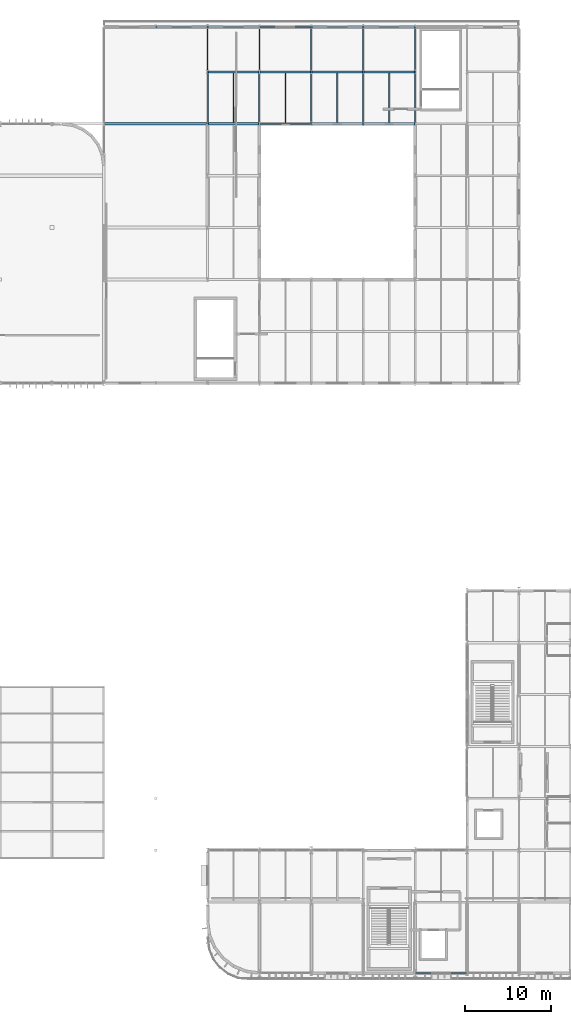
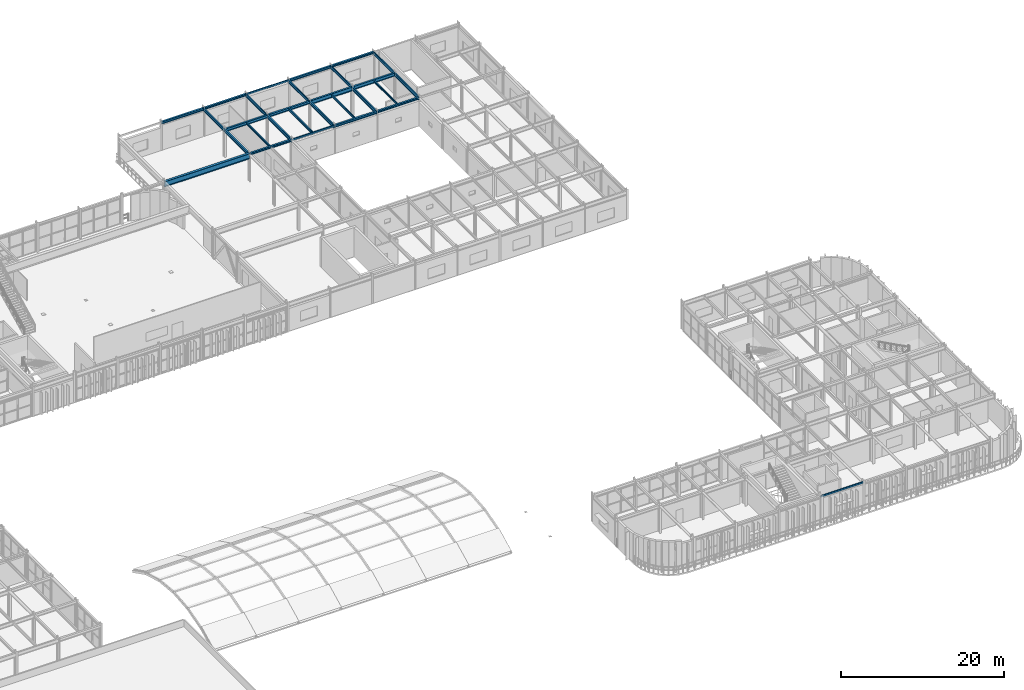
# One storey, part 41 of 84: 29 beams.
"""IFC4 building model written with IfcOpenShell, lengths in metres."""

from ifc_helpers import new_model, si_unit, direction, frame, origin, origin_2d, place, context, subcontext, project, spatial, hollow_rectangle, i_section, extrude, material, material_profile, profile_set, type_object, element, save


model = new_model("IFC4")

# Units and contexts
model_context = context("Model", 3, precision=1e-05, world=origin(), true_north=direction((0.0, 1.0)))
body_context = subcontext(model_context, "Body", "Model", "MODEL_VIEW")
ifc_project = project(units=[si_unit("LENGTHUNIT", "METRE"), si_unit("AREAUNIT", "SQUARE_METRE"), si_unit("VOLUMEUNIT", "CUBIC_METRE"), si_unit("PLANEANGLEUNIT", "RADIAN"), si_unit("MASSUNIT", "GRAM", prefix="KILO")], contexts=[model_context])

# Site, building, storey
site_placement = place(None, origin())
site = spatial("IfcSite", under=ifc_project, at=site_placement, CompositionType="ELEMENT")
building_placement = place(site_placement, origin())
building = spatial("IfcBuilding", under=site, at=building_placement, Name="Varnakota Square Police Headquarters", CompositionType="ELEMENT")
storey_placement = place(building_placement, frame((0.0, 0.0, 13.5)))
storey = spatial("IfcBuildingStorey", under=building, at=storey_placement, Name="L03", CompositionType="ELEMENT", Elevation=13.5)

# Beams
ifc_material = material(Name="Steel IS 2062 Grade 350", Category="steel")
ifc_material_profile_1 = material_profile(ifc_material, i_section(OverallWidth=0.320068359375, OverallDepth=0.800048828125, WebThickness=0.01611328125, FlangeThickness=0.028076171875, at=origin_2d()), Name="BPG 800x320")
ifc_profile_set_1 = profile_set([ifc_material_profile_1], Name="Steel IS 2062 Grade 350")
beam_type_1 = type_object("IfcBeamType", Name="BM-BPG800", PredefinedType="BEAM", material=ifc_profile_set_1)
beam_1_placement = place(storey_placement, frame((96.0, 99.0, 3.800048828125), z_axis=(1.0, 0.0, 0.0), x_axis=(0.0, 1.0, 0.0)))
element("IfcBeam", 1, at=beam_1_placement, inside=storey, type_object=beam_type_1, Name="BMG-L03-2565", PredefinedType="BEAM", context=body_context, shape_type="SweptSolid", body=[
    extrude(i_section(OverallWidth=0.320068359375, OverallDepth=0.800048828125, WebThickness=0.01611328125, FlangeThickness=0.028076171875, at=origin_2d()), origin(), (0.0, 0.0, 1.0), 12.0),
])
ifc_material_profile_2 = material_profile(ifc_material, hollow_rectangle(XDim=0.14990234375, YDim=0.25, WallThickness=0.010009765625, InnerFilletRadius=0.010009765625, OuterFilletRadius=0.02001953125, at=origin_2d()), Name="RHS 250x150x10")
ifc_profile_set_2 = profile_set([ifc_material_profile_2], Name="Steel IS 2062 Grade 350")
beam_type_2 = type_object("IfcBeamType", Name="BM-CBEAM-RHS250", PredefinedType="BEAM", material=ifc_profile_set_2)
for number, where, z_axis, x_axis, name in (
    (2, (132.0, 0.800048828125, 4.074951171875), (1.0, 0.0, 0.0), (0.0, 1.0, 0.0), "BMG-L03-2424"),
    (3, (114.0, 99.0, 4.074951171875), (1.0, 0.0, 0.0), (0.0, 1.0, 0.0), "BMG-L03-2567"),
    (4, (114.0, 110.199951171875, 4.074951171875), (1.0, 0.0, 0.0), (0.0, 1.0, 0.0), "BMG-L03-2590"),
):
    element("IfcBeam", number, at=place(storey_placement, frame(where, z_axis=z_axis, x_axis=x_axis)), inside=storey, type_object=beam_type_2, Name=name, PredefinedType="BEAM", context=body_context, shape_type="SweptSolid", body=[
        extrude(hollow_rectangle(XDim=0.14990234375, YDim=0.25, WallThickness=0.010009765625, InnerFilletRadius=0.010009765625, OuterFilletRadius=0.02001953125, at=origin_2d()), origin(), (0.0, 0.0, 1.0), 6.0),
    ])
ifc_material_profile_3 = material_profile(ifc_material, i_section(OverallWidth=0.25, OverallDepth=0.300048828125, WebThickness=0.009521484375, FlangeThickness=0.010498046875, FilletRadius=0.011962890625, at=origin_2d()), Name="ISHB 300")
ifc_profile_set_3 = profile_set([ifc_material_profile_3], Name="Steel IS 2062 Grade 350")
beam_type_3 = type_object("IfcBeamType", Name="BM-ISHB300", PredefinedType="BEAM", material=ifc_profile_set_3)
for number, where, z_axis, x_axis, name in (
    (5, (108.0, 99.0, 4.050048828125), (1.0, 0.0, 0.0), (0.0, 1.0, 0.0), "BMG-L03-2566"),
    (6, (126.0, 99.0, 4.050048828125), (1.0, 0.0, 0.0), (0.0, 1.0, 0.0), "BMG-L03-2569"),
    (7, (108.0, 110.199951171875, 4.050048828125), (1.0, 0.0, 0.0), (0.0, 1.0, 0.0), "BMG-L03-2589"),
    (8, (126.0, 110.199951171875, 4.050048828125), (1.0, 0.0, 0.0), (0.0, 1.0, 0.0), "BMG-L03-2592"),
):
    element("IfcBeam", number, at=place(storey_placement, frame(where, z_axis=z_axis, x_axis=x_axis)), inside=storey, type_object=beam_type_3, Name=name, PredefinedType="BEAM", context=body_context, shape_type="SweptSolid", body=[
        extrude(i_section(OverallWidth=0.25, OverallDepth=0.300048828125, WebThickness=0.009521484375, FlangeThickness=0.010498046875, FilletRadius=0.011962890625, at=origin_2d()), origin(), (0.0, 0.0, 1.0), 6.0),
    ])
ifc_material_profile_4 = material_profile(ifc_material, i_section(OverallWidth=0.25, OverallDepth=0.35009765625, WebThickness=0.010009765625, FlangeThickness=0.01171875, FilletRadius=0.011962890625, at=origin_2d()), Name="ISHB 350")
ifc_profile_set_4 = profile_set([ifc_material_profile_4], Name="Steel IS 2062 Grade 350")
beam_type_4 = type_object("IfcBeamType", Name="BM-ISHB350", PredefinedType="BEAM", material=ifc_profile_set_4)
for number, where, z_axis, x_axis, name in (
    (9, (120.0, 99.0, 4.02490234375), (1.0, 0.0, 0.0), (0.0, 1.0, 0.0), "BMG-L03-2568"),
    (10, (102.0, 110.199951171875, 4.02490234375), (1.0, 0.0, 0.0), (0.0, 1.0, 0.0), "BMG-L03-2588"),
    (11, (120.0, 110.199951171875, 4.02490234375), (1.0, 0.0, 0.0), (0.0, 1.0, 0.0), "BMG-L03-2591"),
):
    element("IfcBeam", number, at=place(storey_placement, frame(where, z_axis=z_axis, x_axis=x_axis)), inside=storey, type_object=beam_type_4, Name=name, PredefinedType="BEAM", context=body_context, shape_type="SweptSolid", body=[
        extrude(i_section(OverallWidth=0.25, OverallDepth=0.35009765625, WebThickness=0.010009765625, FlangeThickness=0.01171875, FilletRadius=0.011962890625, at=origin_2d()), origin(), (0.0, 0.0, 1.0), 6.0),
    ])
ifc_material_profile_5 = material_profile(ifc_material, i_section(OverallWidth=0.25, OverallDepth=0.39990234375, WebThickness=0.010498046875, FlangeThickness=0.0126953125, FilletRadius=0.013916015625, at=origin_2d()), Name="ISHB 400")
ifc_profile_set_5 = profile_set([ifc_material_profile_5], Name="Steel IS 2062 Grade 350")
beam_type_5 = type_object("IfcBeamType", Name="BM-ISHB400", PredefinedType="BEAM", material=ifc_profile_set_5)
beam_2_placement = place(storey_placement, frame((114.0, 105.0, 4.0), z_axis=(1.0, 0.0, 0.0), x_axis=(0.0, 1.0, 0.0)))
element("IfcBeam", 12, at=beam_2_placement, inside=storey, type_object=beam_type_5, Name="BMG-L03-2577", PredefinedType="BEAM", context=body_context, shape_type="SweptSolid", body=[
    extrude(i_section(OverallWidth=0.25, OverallDepth=0.39990234375, WebThickness=0.010498046875, FlangeThickness=0.0126953125, FilletRadius=0.013916015625, at=origin_2d()), origin(), (0.0, 0.0, 1.0), 6.0),
])
ifc_material_profile_6 = material_profile(ifc_material, i_section(OverallWidth=0.25, OverallDepth=0.449951171875, WebThickness=0.01123046875, FlangeThickness=0.013671875, FilletRadius=0.014892578125, at=origin_2d()), Name="ISHB 450")
ifc_profile_set_6 = profile_set([ifc_material_profile_6], Name="Steel IS 2062 Grade 350")
beam_type_6 = type_object("IfcBeamType", Name="BM-ISHB450", PredefinedType="BEAM", material=ifc_profile_set_6)
beam_3_placement = place(storey_placement, frame((108.0, 105.0, 3.97509765625), z_axis=(1.0, 0.0, 0.0), x_axis=(0.0, 1.0, 0.0)))
element("IfcBeam", 13, at=beam_3_placement, inside=storey, type_object=beam_type_6, Name="BMG-L03-2576", PredefinedType="BEAM", context=body_context, shape_type="SweptSolid", body=[
    extrude(i_section(OverallWidth=0.25, OverallDepth=0.449951171875, WebThickness=0.01123046875, FlangeThickness=0.013671875, FilletRadius=0.014892578125, at=origin_2d()), origin(), (0.0, 0.0, 1.0), 6.0),
])
ifc_material_profile_7 = material_profile(ifc_material, i_section(OverallWidth=0.139892578125, OverallDepth=0.300048828125, WebThickness=0.0078125, FlangeThickness=0.01318359375, FilletRadius=0.013916015625, at=origin_2d()), Name="ISMB 300")
ifc_profile_set_7 = profile_set([ifc_material_profile_7], Name="Steel IS 2062 Grade 350")
beam_type_7 = type_object("IfcBeamType", Name="BM-ISMB300", PredefinedType="JOIST", material=ifc_profile_set_7)
for number, where, z_axis, x_axis, name in (
    (14, (111.0, 99.123046875, 4.050048828125), (0.0, 1.0, 0.0), (-1.0, 0.0, 0.0), "BMG-L03-2805"),
    (15, (129.0, 99.123046875, 4.050048828125), (0.0, 1.0, 0.0), (-1.0, 0.0, 0.0), "BMG-L03-2816"),
):
    element("IfcBeam", number, at=place(storey_placement, frame(where, z_axis=z_axis, x_axis=x_axis)), inside=storey, type_object=beam_type_7, Name=name, PredefinedType="JOIST", context=body_context, shape_type="SweptSolid", body=[
        extrude(i_section(OverallWidth=0.139892578125, OverallDepth=0.300048828125, WebThickness=0.0078125, FlangeThickness=0.01318359375, FilletRadius=0.013916015625, at=origin_2d()), origin(), (0.0, 0.0, 1.0), 5.75390625),
    ])
ifc_material_profile_8 = material_profile(ifc_material, i_section(OverallWidth=0.139892578125, OverallDepth=0.35009765625, WebThickness=0.008056640625, FlangeThickness=0.01416015625, FilletRadius=0.013916015625, at=origin_2d()), Name="ISMB 350")
ifc_profile_set_8 = profile_set([ifc_material_profile_8], Name="Steel IS 2062 Grade 350")
beam_type_8 = type_object("IfcBeamType", Name="BM-ISMB350", PredefinedType="JOIST", material=ifc_profile_set_8)
beam_4_placement = place(storey_placement, frame((123.0, 99.123046875, 4.02490234375), z_axis=(0.0, 1.0, 0.0), x_axis=(-1.0, 0.0, 0.0)))
element("IfcBeam", 16, at=beam_4_placement, inside=storey, type_object=beam_type_8, Name="BMG-L03-2813", PredefinedType="JOIST", context=body_context, shape_type="SweptSolid", body=[
    extrude(i_section(OverallWidth=0.139892578125, OverallDepth=0.35009765625, WebThickness=0.008056640625, FlangeThickness=0.01416015625, FilletRadius=0.013916015625, at=origin_2d()), origin(), (0.0, 0.0, 1.0), 5.75390625),
])
ifc_material_profile_9 = material_profile(ifc_material, i_section(OverallWidth=0.139892578125, OverallDepth=0.39990234375, WebThickness=0.0087890625, FlangeThickness=0.01611328125, FilletRadius=0.013916015625, at=origin_2d()), Name="ISMB 400")
ifc_profile_set_9 = profile_set([ifc_material_profile_9], Name="Steel IS 2062 Grade 350")
beam_type_9 = type_object("IfcBeamType", Name="BM-ISMB400", PredefinedType="JOIST", material=ifc_profile_set_9)
beam_5_placement = place(storey_placement, frame((117.0, 99.072998046875, 4.0), z_axis=(0.0, 1.0, 0.0), x_axis=(-1.0, 0.0, 0.0)))
element("IfcBeam", 17, at=beam_5_placement, inside=storey, type_object=beam_type_9, Name="BMG-L03-2809", PredefinedType="JOIST", context=body_context, shape_type="SweptSolid", body=[
    extrude(i_section(OverallWidth=0.139892578125, OverallDepth=0.39990234375, WebThickness=0.0087890625, FlangeThickness=0.01611328125, FilletRadius=0.013916015625, at=origin_2d()), origin(), (0.0, 0.0, 1.0), 5.803955078125),
])
ifc_material_profile_10 = material_profile(ifc_material, i_section(OverallWidth=0.14990234375, OverallDepth=0.449951171875, WebThickness=0.009521484375, FlangeThickness=0.017333984375, FilletRadius=0.014892578125, at=origin_2d()), Name="ISMB 450")
ifc_profile_set_10 = profile_set([ifc_material_profile_10], Name="Steel IS 2062 Grade 350")
beam_type_10 = type_object("IfcBeamType", Name="BM-ISMB450", PredefinedType="BEAM", material=ifc_profile_set_10)
for number, where, z_axis, x_axis, name in (
    (18, (108.0, 105.0, 3.97509765625), (0.0, 1.0, 0.0), (-1.0, 0.0, 0.0), "BMG-L03-2682"),
    (19, (114.0, 105.0, 3.97509765625), (0.0, 1.0, 0.0), (-1.0, 0.0, 0.0), "BMG-L03-2691"),
    (20, (120.0, 105.0, 3.97509765625), (0.0, 1.0, 0.0), (-1.0, 0.0, 0.0), "BMG-L03-2697"),
    (21, (126.0, 105.0, 3.97509765625), (0.0, 1.0, 0.0), (-1.0, 0.0, 0.0), "BMG-L03-2703"),
    (22, (132.0, 105.0, 3.97509765625), (0.0, 1.0, 0.0), (-1.0, 0.0, 0.0), "BMG-L03-2712"),
):
    element("IfcBeam", number, at=place(storey_placement, frame(where, z_axis=z_axis, x_axis=x_axis)), inside=storey, type_object=beam_type_10, Name=name, PredefinedType="BEAM", context=body_context, shape_type="SweptSolid", body=[
        extrude(i_section(OverallWidth=0.14990234375, OverallDepth=0.449951171875, WebThickness=0.009521484375, FlangeThickness=0.017333984375, FilletRadius=0.014892578125, at=origin_2d()), origin(), (0.0, 0.0, 1.0), 5.199951171875),
    ])
ifc_material_profile_11 = material_profile(ifc_material, i_section(OverallWidth=0.179931640625, OverallDepth=0.5, WebThickness=0.01025390625, FlangeThickness=0.01708984375, FilletRadius=0.01708984375, at=origin_2d()), Name="ISMB 500")
ifc_profile_set_11 = profile_set([ifc_material_profile_11], Name="Steel IS 2062 Grade 350")
beam_type_11 = type_object("IfcBeamType", Name="BM-ISMB500", PredefinedType="BEAM", material=ifc_profile_set_11)
for number, where, z_axis, x_axis, name in (
    (23, (108.0, 99.0, 3.949951171875), (0.0, 1.0, 0.0), (-1.0, 0.0, 0.0), "BMG-L03-2681"),
    (24, (114.0, 99.0, 3.949951171875), (0.0, 1.0, 0.0), (-1.0, 0.0, 0.0), "BMG-L03-2690"),
    (25, (120.0, 99.0, 3.949951171875), (0.0, 1.0, 0.0), (-1.0, 0.0, 0.0), "BMG-L03-2696"),
    (26, (126.0, 99.0, 3.949951171875), (0.0, 1.0, 0.0), (-1.0, 0.0, 0.0), "BMG-L03-2702"),
    (27, (132.0, 99.0, 3.949951171875), (0.0, 1.0, 0.0), (-1.0, 0.0, 0.0), "BMG-L03-2711"),
):
    element("IfcBeam", number, at=place(storey_placement, frame(where, z_axis=z_axis, x_axis=x_axis)), inside=storey, type_object=beam_type_11, Name=name, PredefinedType="BEAM", context=body_context, shape_type="SweptSolid", body=[
        extrude(i_section(OverallWidth=0.179931640625, OverallDepth=0.5, WebThickness=0.01025390625, FlangeThickness=0.01708984375, FilletRadius=0.01708984375, at=origin_2d()), origin(), (0.0, 0.0, 1.0), 6.0),
    ])
ifc_material_profile_12 = material_profile(ifc_material, i_section(OverallWidth=0.25, OverallDepth=0.5, WebThickness=0.010009765625, FlangeThickness=0.0146484375, FilletRadius=0.014892578125, at=origin_2d()), Name="ISWB 500")
ifc_profile_set_12 = profile_set([ifc_material_profile_12], Name="Steel IS 2062 Grade 350")
beam_type_12 = type_object("IfcBeamType", Name="BM-ISWB500", PredefinedType="BEAM", material=ifc_profile_set_12)
beam_6_placement = place(storey_placement, frame((126.0, 105.0, 3.949951171875), z_axis=(1.0, 0.0, 0.0), x_axis=(0.0, 1.0, 0.0)))
element("IfcBeam", 28, at=beam_6_placement, inside=storey, type_object=beam_type_12, Name="BMG-L03-2579", PredefinedType="BEAM", context=body_context, shape_type="SweptSolid", body=[
    extrude(i_section(OverallWidth=0.25, OverallDepth=0.5, WebThickness=0.010009765625, FlangeThickness=0.0146484375, FilletRadius=0.014892578125, at=origin_2d()), origin(), (0.0, 0.0, 1.0), 6.0),
])
ifc_material_profile_13 = material_profile(ifc_material, i_section(OverallWidth=0.25, OverallDepth=0.60009765625, WebThickness=0.01171875, FlangeThickness=0.023681640625, FilletRadius=0.01708984375, at=origin_2d()), Name="ISWB 600")
ifc_profile_set_13 = profile_set([ifc_material_profile_13], Name="Steel IS 2062 Grade 350")
beam_type_13 = type_object("IfcBeamType", Name="BM-ISWB600", PredefinedType="BEAM", material=ifc_profile_set_13)
beam_7_placement = place(storey_placement, frame((120.0, 105.0, 3.89990234375), z_axis=(1.0, 0.0, 0.0), x_axis=(0.0, 1.0, 0.0)))
element("IfcBeam", 29, at=beam_7_placement, inside=storey, type_object=beam_type_13, Name="BMG-L03-2578", PredefinedType="BEAM", context=body_context, shape_type="SweptSolid", body=[
    extrude(i_section(OverallWidth=0.25, OverallDepth=0.60009765625, WebThickness=0.01171875, FlangeThickness=0.023681640625, FilletRadius=0.01708984375, at=origin_2d()), origin(), (0.0, 0.0, 1.0), 6.0),
])

save(model, "model.ifc")
